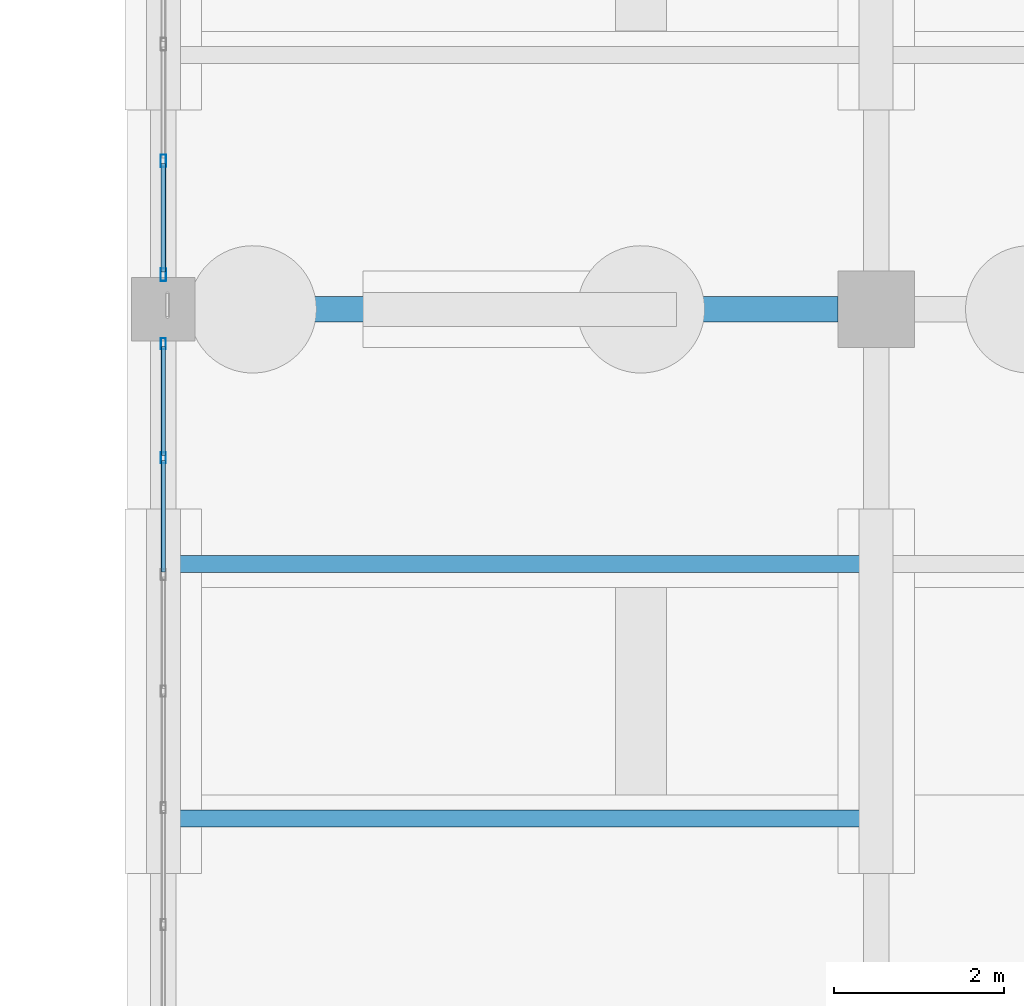
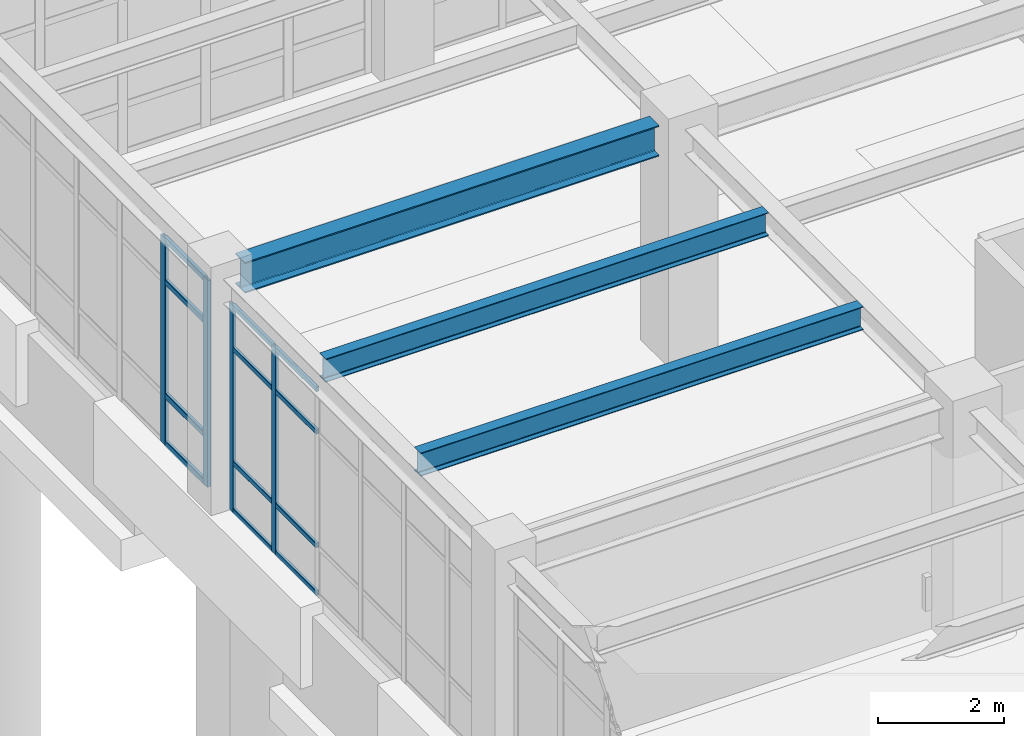
# One storey, part 60 of 139: 16 members, 3 beams, 2 elements without a shape of their own.
"""IFC4 building model written with IfcOpenShell, lengths in metres."""

import ifcopenshell
import ifcopenshell.guid

model = None  # the IFC model being written
_history = None  # IfcOwnerHistory: only IFC2X3 demands one
_inside = {}  # id of a spatial element -> (the spatial element, [elements in it])
_under = {}  # id of a project, library or spatial element -> (it, [spatial elements below it])
_declared = {}  # id of a project -> (the project, [libraries it declares])
_typed = {}  # id of a type object -> (the type object, [elements of that type])
_made_of = {}  # id of a material, layer set ... -> (it, [elements and type objects made of it])


def new_model(schema):
    """Start an empty IFC model of exactly this schema.

    Asked for "IFC4X3", IfcOpenShell would pick the latest addendum, in which some entities
    have other attributes; the version numbers below select the first issue.
    IFC2X3 requires an IfcOwnerHistory on every rooted entity: one is made here for all.
    """
    global model, _history
    if schema == "IFC4X3":
        model = ifcopenshell.file(schema_version=(4, 3, 0, 0))
    else:
        model = ifcopenshell.file(schema=schema)
    _inside.clear()
    _under.clear()
    _declared.clear()
    _typed.clear()
    _made_of.clear()
    _history = None
    if model.schema == "IFC2X3":
        org = make("IfcOrganization", Name="unknown")
        user = make(
            "IfcPersonAndOrganization",
            ThePerson=make("IfcPerson", FamilyName="unknown"),
            TheOrganization=org,
        )
        app = make(
            "IfcApplication",
            ApplicationDeveloper=org,
            Version="unknown",
            ApplicationFullName="unknown",
            ApplicationIdentifier="unknown",
        )
        _history = make(
            "IfcOwnerHistory",
            OwningUser=user,
            OwningApplication=app,
            ChangeAction="ADDED",
            CreationDate=0,
        )
    return model


def make(cls, **values):
    """One entity of the class cls with the attributes given. An attribute that is None is left unset."""
    return model.create_entity(
        cls, **{name: value for name, value in values.items() if value is not None}
    )


def rooted(cls, **values):
    """An entity with a GlobalId (a new one), such as an element, a storey or a relation."""
    return make(cls, GlobalId=ifcopenshell.guid.new(), OwnerHistory=_history, **values)


def si_unit(unit_type, name, prefix=None):
    """IfcSIUnit, for example si_unit("LENGTHUNIT", "METRE", prefix="MILLI")."""
    return make("IfcSIUnit", UnitType=unit_type, Prefix=prefix, Name=name)


def assignment(units):
    """IfcUnitAssignment: the units of a project."""
    return None if units is None else make("IfcUnitAssignment", Units=units)


def point(xyz):
    """IfcCartesianPoint."""
    return None if xyz is None else make("IfcCartesianPoint", Coordinates=xyz)


def direction(xyz):
    """IfcDirection."""
    return None if xyz is None else make("IfcDirection", DirectionRatios=xyz)


def frame(location, z_axis=None, x_axis=None):
    """IfcAxis2Placement3D, a coordinate frame: its origin and axes. An axis left out is left unset."""
    return make(
        "IfcAxis2Placement3D",
        Location=point(location),
        Axis=direction(z_axis),
        RefDirection=direction(x_axis),
    )


def frame_2d(location, x_axis=None):
    """IfcAxis2Placement2D, a coordinate frame in the plane: its origin and x axis."""
    return make(
        "IfcAxis2Placement2D", Location=point(location), RefDirection=direction(x_axis)
    )


def origin():
    """The frame at (0, 0, 0) with its axes left unset."""
    return frame((0.0, 0.0, 0.0))


def origin_2d():
    """The frame at (0, 0) in the plane with its x axis left unset."""
    return frame_2d((0.0, 0.0))


def place(relative_to, where):
    """IfcLocalPlacement: puts the frame where relative to a parent placement (None: the world)."""
    return make(
        "IfcLocalPlacement", PlacementRelTo=relative_to, RelativePlacement=where
    )


def context(
    kind, dimensions, precision=None, world=None, true_north=None, identifier=None
):
    """IfcGeometricRepresentationContext, for example the 3D "Model" context."""
    return make(
        "IfcGeometricRepresentationContext",
        ContextIdentifier=identifier,
        ContextType=kind,
        CoordinateSpaceDimension=dimensions,
        Precision=precision,
        WorldCoordinateSystem=world,
        TrueNorth=true_north,
    )


def subcontext(parent, identifier, kind, view, scale=None):
    """IfcGeometricRepresentationSubContext, for example "Body" below "Model"."""
    return make(
        "IfcGeometricRepresentationSubContext",
        ContextIdentifier=identifier,
        ContextType=kind,
        ParentContext=parent,
        TargetScale=scale,
        TargetView=view,
    )


def project(units=None, contexts=None):
    """IfcProject with its units and contexts."""
    return rooted(
        "IfcProject",
        Name="project",
        RepresentationContexts=contexts,
        UnitsInContext=assignment(units),
    )


def spatial(cls, under=None, at=None, **own):
    """A site, building, storey or space (cls), placed at a placement, below another one or the project."""
    s = rooted(cls, ObjectPlacement=at, **own)
    if under is not None:
        _under.setdefault(under.id(), (under, []))[1].append(s)
    return s


def profile(cls, at=None, kind="AREA", **sizes):
    """A parametric profile (cls). Its sizes go by their IFC names, for example OverallWidth=200.0."""
    return make(cls, ProfileType=kind, Position=at, **sizes)


def hollow_rectangle(**sizes):
    """IfcRectangleHollowProfileDef."""
    return profile("IfcRectangleHollowProfileDef", **sizes)


def i_section(**sizes):
    """IfcIShapeProfileDef."""
    return profile("IfcIShapeProfileDef", **sizes)


def extrude(swept, where, along, depth):
    """IfcExtrudedAreaSolid: the profile swept, set in the frame where, extruded along a direction by depth."""
    return make(
        "IfcExtrudedAreaSolid",
        SweptArea=swept,
        Position=where,
        ExtrudedDirection=direction(along),
        Depth=depth,
    )


def shape(context_of_items, identifier, shape_type, items):
    """IfcShapeRepresentation: the items that make up one representation, for example the "Body"."""
    return make(
        "IfcShapeRepresentation",
        ContextOfItems=context_of_items,
        RepresentationIdentifier=identifier,
        RepresentationType=shape_type,
        Items=items,
    )


def material(Name=None, Category=None):
    """IfcMaterial."""
    return make("IfcMaterial", Name=Name, Category=Category)


def material_profile(
    of_material, cross_section, Name=None, Category=None, Priority=None
):
    """IfcMaterialProfile: a cross section and its material."""
    return make(
        "IfcMaterialProfile",
        Name=Name,
        Material=of_material,
        Profile=cross_section,
        Priority=Priority,
        Category=Category,
    )


def profile_set(profiles, Name=None, composite=None):
    """IfcMaterialProfileSet."""
    return make(
        "IfcMaterialProfileSet",
        Name=Name,
        MaterialProfiles=profiles,
        CompositeProfile=composite,
    )


def made_of(thing, what):
    """Note that an element or type object is made of a material, layer set ...; save() writes the relation."""
    if what is not None:
        _made_of.setdefault(what.id(), (what, []))[1].append(thing)
    return thing


def type_object(cls, material=None, **own):
    """A type object (cls), such as IfcWallType, which elements share."""
    return made_of(rooted(cls, **own), material)


def element(
    cls,
    number,
    at=None,
    inside=None,
    cuts=None,
    type_object=None,
    material=None,
    context=None,
    identifier="Body",
    shape_type=None,
    held_by="IfcProductDefinitionShape",
    body=None,
    shapes=None,
    **own,
):
    """One element of the class cls, such as IfcWall. Its Tag is "e" and its number.

    at: its placement. inside: the storey or other place that contains it. cuts: it is an
    opening in that element (IfcRelVoidsElement). A single representation is given by context,
    identifier, shape_type and body (its items); several are given by shapes. held_by: the class
    of the entity that holds the representations. save() writes the other relations.
    """
    e = rooted(cls, Tag="e%d" % number, ObjectPlacement=at, **own)
    if body is not None:
        shapes = [shape(context, identifier, shape_type, body)]
    if shapes is not None:
        e.Representation = make(held_by, Representations=shapes)
    if inside is not None:
        _inside.setdefault(inside.id(), (inside, []))[1].append(e)
    if cuts is not None:
        rooted(
            "IfcRelVoidsElement", RelatingBuildingElement=cuts, RelatedOpeningElement=e
        )
    if type_object is not None:
        _typed.setdefault(type_object.id(), (type_object, []))[1].append(e)
    return made_of(e, material)


def aggregate(whole, parts):
    """IfcRelAggregates: a whole, such as a stair, and the parts it consists of."""
    return rooted("IfcRelAggregates", RelatingObject=whole, RelatedObjects=parts)


def save(model, path):
    """Write the relations noted so far, then the file.

    IfcRelAggregates (storeys below a building ...), IfcRelContainedInSpatialStructure (elements
    in a storey), IfcRelDefinesByType, IfcRelAssociatesMaterial and IfcRelDeclares: one each for
    every whole, place, type object, material and project.
    """
    for whole, parts in _under.values():
        aggregate(whole, parts)
    for where, things in _inside.values():
        rooted(
            "IfcRelContainedInSpatialStructure",
            RelatedElements=things,
            RelatingStructure=where,
        )
    for kind, things in _typed.values():
        rooted("IfcRelDefinesByType", RelatedObjects=things, RelatingType=kind)
    for what, things in _made_of.values():
        rooted("IfcRelAssociatesMaterial", RelatedObjects=things, RelatingMaterial=what)
    for by, libraries in _declared.values():
        rooted("IfcRelDeclares", RelatingContext=by, RelatedDefinitions=libraries)
    model.write(path)


model = new_model("IFC4")

# Units and contexts
model_context = context("Model", 3, precision=1e-05, world=origin(), true_north=direction((0.0, 1.0)))
body_context = subcontext(model_context, "Body", "Model", "MODEL_VIEW")
ifc_project = project(units=[si_unit("LENGTHUNIT", "METRE"), si_unit("AREAUNIT", "SQUARE_METRE"), si_unit("VOLUMEUNIT", "CUBIC_METRE"), si_unit("PLANEANGLEUNIT", "RADIAN"), si_unit("MASSUNIT", "GRAM", prefix="KILO")], contexts=[model_context])

# Site, building, storey
site_placement = place(None, origin())
site = spatial("IfcSite", under=ifc_project, at=site_placement, CompositionType="ELEMENT")
building_placement = place(site_placement, origin())
building = spatial("IfcBuilding", under=site, at=building_placement, Name="Canglan Escarpment Cableway Terminal", CompositionType="ELEMENT")
storey_placement = place(building_placement, frame((0.0, 0.0, 14.39990234375)))
storey = spatial("IfcBuildingStorey", under=building, at=storey_placement, Name="L03", CompositionType="ELEMENT", Elevation=14.39990234375)

# Beam
ifc_material_1 = material(Name="Steel Q355C", Category="steel")
ifc_material_profile_1 = material_profile(ifc_material_1, i_section(OverallWidth=0.302001953125, OverallDepth=0.593994140625, WebThickness=0.013916015625, FlangeThickness=0.02294921875, FilletRadius=0.028076171875, at=origin_2d()), Name="HM 594x302x14x23")
ifc_profile_set_1 = profile_set([ifc_material_profile_1], Name="Steel Q355C")
beam_type_1 = type_object("IfcBeamType", Name="BM-HM594", PredefinedType="BEAM", material=ifc_profile_set_1)
beam_placement = place(storey_placement, frame((111.875, 106.0, 4.203125), z_axis=(1.0, 0.0, 0.0), x_axis=(0.0, 1.0, 0.0)))
element("IfcBeam", 1, at=beam_placement, inside=storey, type_object=beam_type_1, Name="Primary structural girder B-07", PredefinedType="BEAM", context=body_context, shape_type="SweptSolid", body=[
    extrude(i_section(OverallWidth=0.302001953125, OverallDepth=0.593994140625, WebThickness=0.013916015625, FlangeThickness=0.02294921875, FilletRadius=0.028076171875, at=origin_2d()), origin(), (0.0, 0.0, 1.0), 7.574951171875),
])

# Curtain wall, members
ifc_material_2 = material(Name="Anodized bronze aluminium and Low-E double glazing", Category="aluminium")
curtain_wall_type = type_object("IfcCurtainWallType", Name="CW-BAY-8250x4000", PredefinedType="NOTDEFINED", material=ifc_material_2)
curtain_wall_1_placement = place(storey_placement, origin())
curtain_wall_1 = element("IfcCurtainWall", 2, at=curtain_wall_1_placement, inside=storey, type_object=curtain_wall_type, Name="Classical bay-between-piers glazed curtain wall CW-48", PredefinedType="NOTDEFINED")
ifc_material_3 = material(Name="Thermally broken anodized aluminium 6063-T6", Category="aluminium")
ifc_material_profile_2 = material_profile(ifc_material_3, hollow_rectangle(XDim=0.06005859375, YDim=0.1298828125, WallThickness=0.0029296875, InnerFilletRadius=0.0029296875, OuterFilletRadius=0.006103515625, at=origin_2d()), Name="ALU-MULL 60x130x3")
ifc_profile_set_2 = profile_set([ifc_material_profile_2], Name="Thermally broken anodized aluminium 6063-T6")
member_type_1 = type_object("IfcMemberType", Name="CWM-01", PredefinedType="MULLION", material=ifc_profile_set_2)
member_1_placement = place(storey_placement, frame((111.5, 105.594970703125, 0.0), z_axis=(0.0, 0.0, 1.0), x_axis=(1.0, 0.0, 0.0)))
member_1 = element("IfcMember", 3, at=member_1_placement, type_object=member_type_1, Name="CW-48 mullion 1", PredefinedType="MULLION", context=body_context, shape_type="SweptSolid", body=[
    extrude(hollow_rectangle(XDim=0.06005859375, YDim=0.1298828125, WallThickness=0.0029296875, InnerFilletRadius=0.0029296875, OuterFilletRadius=0.006103515625, at=origin_2d()), origin(), (0.0, 0.0, 1.0), 3.9970703125),
])
member_2_placement = place(storey_placement, frame((111.5, 104.25, 0.0), z_axis=(0.0, 0.0, 1.0), x_axis=(1.0, 0.0, 0.0)))
member_2 = element("IfcMember", 4, at=member_2_placement, type_object=member_type_1, Name="CW-48 mullion 2", PredefinedType="MULLION", context=body_context, shape_type="SweptSolid", body=[
    extrude(hollow_rectangle(XDim=0.06005859375, YDim=0.1298828125, WallThickness=0.0029296875, InnerFilletRadius=0.0029296875, OuterFilletRadius=0.006103515625, at=origin_2d()), origin(), (0.0, 0.0, 1.0), 3.9970703125),
])

curtain_wall_2_placement = place(storey_placement, origin())
curtain_wall_2 = element("IfcCurtainWall", 5, at=curtain_wall_2_placement, inside=storey, type_object=curtain_wall_type, Name="Classical bay-between-piers glazed curtain wall CW-48", PredefinedType="NOTDEFINED")
ifc_material_profile_3 = material_profile(ifc_material_3, hollow_rectangle(XDim=0.06494140625, YDim=0.14990234375, WallThickness=0.00341796875, InnerFilletRadius=0.00341796875, OuterFilletRadius=0.007080078125, at=origin_2d()), Name="ALU-MULL 65x150x3.5")
ifc_profile_set_3 = profile_set([ifc_material_profile_3], Name="Thermally broken anodized aluminium 6063-T6")
member_type_2 = type_object("IfcMemberType", Name="CWM-02", PredefinedType="MULLION", material=ifc_profile_set_3)
member_3_placement = place(storey_placement, frame((111.5, 107.75, 0.0), z_axis=(0.0, 0.0, 1.0), x_axis=(1.0, 0.0, 0.0)))
member_3 = element("IfcMember", 6, at=member_3_placement, type_object=member_type_2, Name="CW-48 mullion 6", PredefinedType="MULLION", context=body_context, shape_type="SweptSolid", body=[
    extrude(hollow_rectangle(XDim=0.06494140625, YDim=0.14990234375, WallThickness=0.00341796875, InnerFilletRadius=0.00341796875, OuterFilletRadius=0.007080078125, at=origin_2d()), origin(), (0.0, 0.0, 1.0), 3.9970703125),
])
member_4_placement = place(storey_placement, frame((111.5, 106.407470703125, 0.0), z_axis=(0.0, 0.0, 1.0), x_axis=(1.0, 0.0, 0.0)))
member_4 = element("IfcMember", 7, at=member_4_placement, type_object=member_type_2, Name="CW-48 mullion 7", PredefinedType="MULLION", context=body_context, shape_type="SweptSolid", body=[
    extrude(hollow_rectangle(XDim=0.06494140625, YDim=0.14990234375, WallThickness=0.00341796875, InnerFilletRadius=0.00341796875, OuterFilletRadius=0.007080078125, at=origin_2d()), origin(), (0.0, 0.0, 1.0), 3.9970703125),
])

# Member
ifc_material_profile_4 = material_profile(ifc_material_3, hollow_rectangle(XDim=0.054931640625, YDim=0.094970703125, WallThickness=0.0029296875, InnerFilletRadius=0.0029296875, OuterFilletRadius=0.006103515625, at=origin_2d()), Name="ALU-TRAN 55x95x3")
ifc_profile_set_4 = profile_set([ifc_material_profile_4], Name="Thermally broken anodized aluminium 6063-T6")
member_type_3 = type_object("IfcMemberType", Name="CWT-01", PredefinedType="USERDEFINED", material=ifc_profile_set_4)
member_5_placement = place(storey_placement, frame((111.5, 105.56494140625, 0.027587890625), z_axis=(0.0, -1.0, 0.0), x_axis=(1.0, 0.0, 0.0)))
member_5 = element("IfcMember", 8, at=member_5_placement, type_object=member_type_3, Name="CW-48 transom 1.1", ObjectType="TRANSOM", PredefinedType="USERDEFINED", context=body_context, shape_type="SweptSolid", body=[
    extrude(hollow_rectangle(XDim=0.054931640625, YDim=0.094970703125, WallThickness=0.0029296875, InnerFilletRadius=0.0029296875, OuterFilletRadius=0.006103515625, at=origin_2d()), origin(), (0.0, 0.0, 1.0), 1.284912109375),
])

member_6_placement = place(storey_placement, frame((111.5, 105.56494140625, 0.9501953125), z_axis=(0.0, -1.0, 0.0), x_axis=(1.0, 0.0, 0.0)))
member_6 = element("IfcMember", 9, at=member_6_placement, type_object=member_type_3, Name="CW-48 transom 1.2", ObjectType="TRANSOM", PredefinedType="USERDEFINED", context=body_context, shape_type="SweptSolid", body=[
    extrude(hollow_rectangle(XDim=0.054931640625, YDim=0.094970703125, WallThickness=0.0029296875, InnerFilletRadius=0.0029296875, OuterFilletRadius=0.006103515625, at=origin_2d()), origin(), (0.0, 0.0, 1.0), 1.284912109375),
])

member_7_placement = place(storey_placement, frame((111.5, 105.56494140625, 3.147216796875), z_axis=(0.0, -1.0, 0.0), x_axis=(1.0, 0.0, 0.0)))
member_7 = element("IfcMember", 10, at=member_7_placement, type_object=member_type_3, Name="CW-48 transom 1.3", ObjectType="TRANSOM", PredefinedType="USERDEFINED", context=body_context, shape_type="SweptSolid", body=[
    extrude(hollow_rectangle(XDim=0.054931640625, YDim=0.094970703125, WallThickness=0.0029296875, InnerFilletRadius=0.0029296875, OuterFilletRadius=0.006103515625, at=origin_2d()), origin(), (0.0, 0.0, 1.0), 1.284912109375),
])

member_8_placement = place(storey_placement, frame((111.5, 105.56494140625, 3.969482421875), z_axis=(0.0, -1.0, 0.0), x_axis=(1.0, 0.0, 0.0)))
member_8 = element("IfcMember", 11, at=member_8_placement, type_object=member_type_3, Name="CW-48 transom 1.4", ObjectType="TRANSOM", PredefinedType="USERDEFINED", context=body_context, shape_type="SweptSolid", body=[
    extrude(hollow_rectangle(XDim=0.054931640625, YDim=0.094970703125, WallThickness=0.0029296875, InnerFilletRadius=0.0029296875, OuterFilletRadius=0.006103515625, at=origin_2d()), origin(), (0.0, 0.0, 1.0), 1.284912109375),
])

member_9_placement = place(storey_placement, frame((111.5, 104.219970703125, 0.027587890625), z_axis=(0.0, -1.0, 0.0), x_axis=(1.0, 0.0, 0.0)))
member_9 = element("IfcMember", 12, at=member_9_placement, type_object=member_type_3, Name="CW-48 transom 2.1", ObjectType="TRANSOM", PredefinedType="USERDEFINED", context=body_context, shape_type="SweptSolid", body=[
    extrude(hollow_rectangle(XDim=0.054931640625, YDim=0.094970703125, WallThickness=0.0029296875, InnerFilletRadius=0.0029296875, OuterFilletRadius=0.006103515625, at=origin_2d()), origin(), (0.0, 0.0, 1.0), 1.31494140625),
])

member_10_placement = place(storey_placement, frame((111.5, 104.219970703125, 0.9501953125), z_axis=(0.0, -1.0, 0.0), x_axis=(1.0, 0.0, 0.0)))
member_10 = element("IfcMember", 13, at=member_10_placement, type_object=member_type_3, Name="CW-48 transom 2.2", ObjectType="TRANSOM", PredefinedType="USERDEFINED", context=body_context, shape_type="SweptSolid", body=[
    extrude(hollow_rectangle(XDim=0.054931640625, YDim=0.094970703125, WallThickness=0.0029296875, InnerFilletRadius=0.0029296875, OuterFilletRadius=0.006103515625, at=origin_2d()), origin(), (0.0, 0.0, 1.0), 1.31494140625),
])

member_11_placement = place(storey_placement, frame((111.5, 104.219970703125, 3.147216796875), z_axis=(0.0, -1.0, 0.0), x_axis=(1.0, 0.0, 0.0)))
member_11 = element("IfcMember", 14, at=member_11_placement, type_object=member_type_3, Name="CW-48 transom 2.3", ObjectType="TRANSOM", PredefinedType="USERDEFINED", context=body_context, shape_type="SweptSolid", body=[
    extrude(hollow_rectangle(XDim=0.054931640625, YDim=0.094970703125, WallThickness=0.0029296875, InnerFilletRadius=0.0029296875, OuterFilletRadius=0.006103515625, at=origin_2d()), origin(), (0.0, 0.0, 1.0), 1.31494140625),
])

member_12_placement = place(storey_placement, frame((111.5, 104.219970703125, 3.969482421875), z_axis=(0.0, -1.0, 0.0), x_axis=(1.0, 0.0, 0.0)))
member_12 = element("IfcMember", 15, at=member_12_placement, type_object=member_type_3, Name="CW-48 transom 2.4", ObjectType="TRANSOM", PredefinedType="USERDEFINED", context=body_context, shape_type="SweptSolid", body=[
    extrude(hollow_rectangle(XDim=0.054931640625, YDim=0.094970703125, WallThickness=0.0029296875, InnerFilletRadius=0.0029296875, OuterFilletRadius=0.006103515625, at=origin_2d()), origin(), (0.0, 0.0, 1.0), 1.31494140625),
])

aggregate(curtain_wall_1, [member_1, member_2, member_5, member_6, member_7, member_8, member_9, member_10, member_11, member_12])

ifc_material_profile_5 = material_profile(ifc_material_3, hollow_rectangle(XDim=0.06005859375, YDim=0.110107421875, WallThickness=0.0029296875, InnerFilletRadius=0.0029296875, OuterFilletRadius=0.006103515625, at=origin_2d()), Name="ALU-TRAN 60x110x3")
ifc_profile_set_5 = profile_set([ifc_material_profile_5], Name="Thermally broken anodized aluminium 6063-T6")
member_type_4 = type_object("IfcMemberType", Name="CWT-02", PredefinedType="USERDEFINED", material=ifc_profile_set_5)
member_13_placement = place(storey_placement, frame((111.5, 107.717529296875, 0.030029296875), z_axis=(0.0, -1.0, 0.0), x_axis=(1.0, 0.0, 0.0)))
member_13 = element("IfcMember", 16, at=member_13_placement, type_object=member_type_4, Name="CW-48 transom 6.1", ObjectType="TRANSOM", PredefinedType="USERDEFINED", context=body_context, shape_type="SweptSolid", body=[
    extrude(hollow_rectangle(XDim=0.06005859375, YDim=0.110107421875, WallThickness=0.0029296875, InnerFilletRadius=0.0029296875, OuterFilletRadius=0.006103515625, at=origin_2d()), origin(), (0.0, 0.0, 1.0), 1.277587890625),
])

member_14_placement = place(storey_placement, frame((111.5, 107.717529296875, 0.9501953125), z_axis=(0.0, -1.0, 0.0), x_axis=(1.0, 0.0, 0.0)))
member_14 = element("IfcMember", 17, at=member_14_placement, type_object=member_type_4, Name="CW-48 transom 6.2", ObjectType="TRANSOM", PredefinedType="USERDEFINED", context=body_context, shape_type="SweptSolid", body=[
    extrude(hollow_rectangle(XDim=0.06005859375, YDim=0.110107421875, WallThickness=0.0029296875, InnerFilletRadius=0.0029296875, OuterFilletRadius=0.006103515625, at=origin_2d()), origin(), (0.0, 0.0, 1.0), 1.277587890625),
])

member_15_placement = place(storey_placement, frame((111.5, 107.717529296875, 3.147216796875), z_axis=(0.0, -1.0, 0.0), x_axis=(1.0, 0.0, 0.0)))
member_15 = element("IfcMember", 18, at=member_15_placement, type_object=member_type_4, Name="CW-48 transom 6.3", ObjectType="TRANSOM", PredefinedType="USERDEFINED", context=body_context, shape_type="SweptSolid", body=[
    extrude(hollow_rectangle(XDim=0.06005859375, YDim=0.110107421875, WallThickness=0.0029296875, InnerFilletRadius=0.0029296875, OuterFilletRadius=0.006103515625, at=origin_2d()), origin(), (0.0, 0.0, 1.0), 1.277587890625),
])

member_16_placement = place(storey_placement, frame((111.5, 107.717529296875, 3.967041015625), z_axis=(0.0, -1.0, 0.0), x_axis=(1.0, 0.0, 0.0)))
member_16 = element("IfcMember", 19, at=member_16_placement, type_object=member_type_4, Name="CW-48 transom 6.4", ObjectType="TRANSOM", PredefinedType="USERDEFINED", context=body_context, shape_type="SweptSolid", body=[
    extrude(hollow_rectangle(XDim=0.06005859375, YDim=0.110107421875, WallThickness=0.0029296875, InnerFilletRadius=0.0029296875, OuterFilletRadius=0.006103515625, at=origin_2d()), origin(), (0.0, 0.0, 1.0), 1.277587890625),
])

aggregate(curtain_wall_2, [member_3, member_4, member_13, member_14, member_15, member_16])

# Beams
ifc_material_4 = material(Name="Steel Q355B", Category="steel")
ifc_material_profile_6 = material_profile(ifc_material_4, i_section(OverallWidth=0.199951171875, OverallDepth=0.449951171875, WebThickness=0.009033203125, FlangeThickness=0.013916015625, FilletRadius=0.01806640625, at=origin_2d()), Name="HN 450x200x9x14")
ifc_profile_set_6 = profile_set([ifc_material_profile_6], Name="Steel Q355B")
beam_type_2 = type_object("IfcBeamType", Name="JS-HN450", PredefinedType="JOIST", material=ifc_profile_set_6)
for number, where, z_axis, x_axis, name in (
    (20, (111.64990234375, 100.0, 4.275146484375), (1.0, 0.0, 0.0), (0.0, 1.0, 0.0), "Secondary composite deck joist J-02"),
    (21, (111.64990234375, 103.0, 4.275146484375), (1.0, 0.0, 0.0), (0.0, 1.0, 0.0), "Secondary composite deck joist J-02"),
):
    element("IfcBeam", number, at=place(storey_placement, frame(where, z_axis=z_axis, x_axis=x_axis)), inside=storey, type_object=beam_type_2, Name=name, PredefinedType="JOIST", context=body_context, shape_type="SweptSolid", body=[
        extrude(i_section(OverallWidth=0.199951171875, OverallDepth=0.449951171875, WebThickness=0.009033203125, FlangeThickness=0.013916015625, FilletRadius=0.01806640625, at=origin_2d()), origin(), (0.0, 0.0, 1.0), 8.10009765625),
    ])

save(model, "model.ifc")
